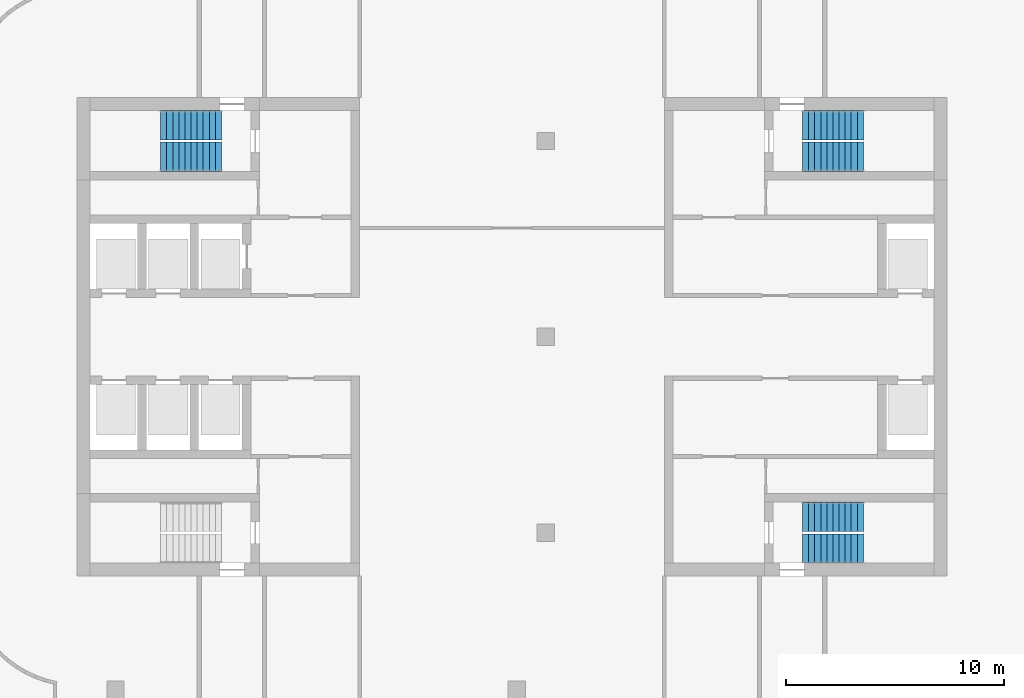
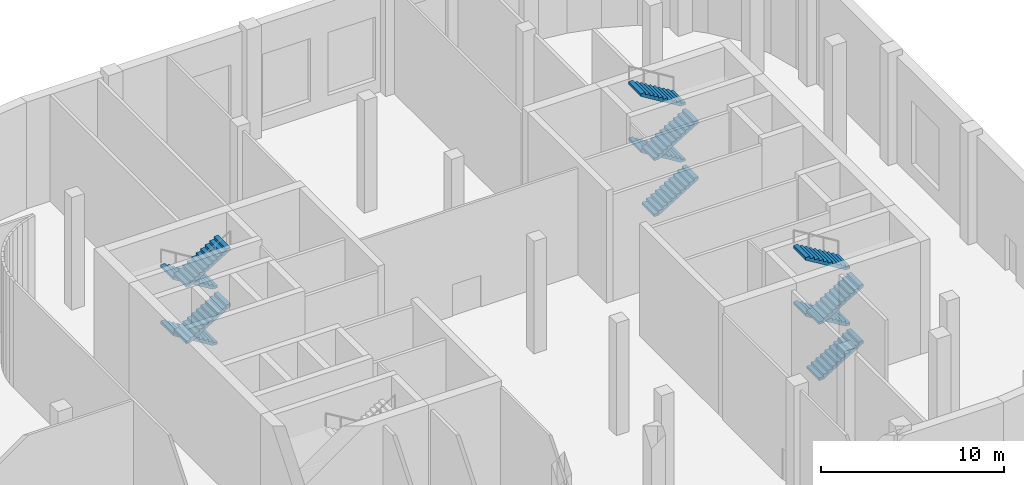
# One storey, part 26 of 30: 12 stair flights, 3 elements without a shape of their own.
"""IFC4 building model written with IfcOpenShell, lengths in metres."""

from ifc_helpers import new_model, si_unit, direction, frame, origin, place, context, subcontext, project, spatial, polyline, outline, extrude, material, type_object, element, aggregate, save


model = new_model("IFC4")

# Units and contexts
model_context = context("Model", 3, precision=1e-05, world=origin(), true_north=direction((0.0, 1.0)))
body_context = subcontext(model_context, "Body", "Model", "MODEL_VIEW")
ifc_project = project(units=[si_unit("LENGTHUNIT", "METRE"), si_unit("AREAUNIT", "SQUARE_METRE"), si_unit("VOLUMEUNIT", "CUBIC_METRE"), si_unit("PLANEANGLEUNIT", "RADIAN"), si_unit("MASSUNIT", "GRAM", prefix="KILO")], contexts=[model_context])

# Site, building, storey
site_placement = place(None, origin())
site = spatial("IfcSite", under=ifc_project, at=site_placement, CompositionType="ELEMENT")
building_placement = place(site_placement, origin())
building = spatial("IfcBuilding", under=site, at=building_placement, Name="Skarvind Civic Tower", CompositionType="ELEMENT")
storey_placement = place(building_placement, origin())
storey = spatial("IfcBuildingStorey", under=building, at=storey_placement, Name="L00", CompositionType="ELEMENT", Elevation=0.0)

# Stair, stair flights
ifc_material = material(Name="Concrete C40/50", Category="concrete")
stair_type = type_object("IfcStairType", Name="Exit stair, half-turn, concrete", PredefinedType="HALF_TURN_STAIR", material=ifc_material)
stair_1_placement = place(storey_placement, origin())
stair_1 = element("IfcStair", 1, at=stair_1_placement, inside=storey, type_object=stair_type, Name="Exit stair CAN", PredefinedType="HALF_TURN_STAIR")
stair_flight_type = type_object("IfcStairFlightType", Name="Stair flight, concrete", PredefinedType="STRAIGHT", material=ifc_material)
stair_flight_1_placement = place(storey_placement, frame((133.64990234375, 137.72509765625, 0.0), z_axis=(0.0, 0.0, 1.0), x_axis=(-1.0, 0.0, 0.0)))
stair_flight_1 = element("IfcStairFlight", 2, at=stair_flight_1_placement, type_object=stair_flight_type, Name="ST-CAN flight 1", NumberOfRisers=11, NumberOfTreads=10, PredefinedType="STRAIGHT", RiserHeight=0.170454545, TreadLength=0.28, context=body_context, shape_type="SweptSolid", body=[
    extrude(outline(polyline([(0.0, 0.0), (0.0, 0.17041015625), (0.280029296875, 0.17041015625), (0.280029296875, 0.3408203125), (0.56005859375, 0.3408203125), (0.56005859375, 0.511474609375), (0.840087890625, 0.511474609375), (0.840087890625, 0.681884765625), (1.1201171875, 0.681884765625), (1.1201171875, 0.852294921875), (1.39990234375, 0.852294921875), (1.39990234375, 1.022705078125), (1.679931640625, 1.022705078125), (1.679931640625, 1.193115234375), (1.9599609375, 1.193115234375), (1.9599609375, 1.363525390625), (2.239990234375, 1.363525390625), (2.239990234375, 1.5341796875), (2.52001953125, 1.5341796875), (2.52001953125, 1.70458984375), (2.800048828125, 1.70458984375), (2.800048828125, 1.875), (2.800048828125, 1.529052734375), (0.288330078125, 0.0), (0.0, 0.0)])), frame((0.0, 0.675048828125, 0.0), z_axis=(0.0, -1.0, 0.0), x_axis=(1.0, 0.0, 0.0)), (0.0, 0.0, 1.0), 1.35009765625),
])
stair_flight_2_placement = place(storey_placement, frame((130.85009765625, 136.27490234375, 1.875), z_axis=(0.0, 0.0, 1.0), x_axis=(1.0, 0.0, 0.0)))
stair_flight_2 = element("IfcStairFlight", 3, at=stair_flight_2_placement, type_object=stair_flight_type, Name="ST-CAN flight 2", NumberOfRisers=11, NumberOfTreads=10, PredefinedType="STRAIGHT", RiserHeight=0.170454545, TreadLength=0.28, context=body_context, shape_type="SweptSolid", body=[
    extrude(outline(polyline([(0.0, 0.0), (0.0, 0.17041015625), (0.280029296875, 0.17041015625), (0.280029296875, 0.3408203125), (0.56005859375, 0.3408203125), (0.56005859375, 0.511474609375), (0.840087890625, 0.511474609375), (0.840087890625, 0.681884765625), (1.1201171875, 0.681884765625), (1.1201171875, 0.852294921875), (1.39990234375, 0.852294921875), (1.39990234375, 1.022705078125), (1.679931640625, 1.022705078125), (1.679931640625, 1.193115234375), (1.9599609375, 1.193115234375), (1.9599609375, 1.363525390625), (2.239990234375, 1.363525390625), (2.239990234375, 1.5341796875), (2.52001953125, 1.5341796875), (2.52001953125, 1.70458984375), (2.800048828125, 1.70458984375), (2.800048828125, 1.875), (2.800048828125, 1.529052734375), (0.288330078125, 0.0), (0.0, 0.0)])), frame((0.0, 0.675048828125, 0.0), z_axis=(0.0, -1.0, 0.0), x_axis=(1.0, 0.0, 0.0)), (0.0, 0.0, 1.0), 1.35009765625),
])
stair_flight_3_placement = place(storey_placement, frame((133.64990234375, 137.72509765625, 3.75), z_axis=(0.0, 0.0, 1.0), x_axis=(-1.0, 0.0, 0.0)))
stair_flight_3 = element("IfcStairFlight", 4, at=stair_flight_3_placement, type_object=stair_flight_type, Name="ST-CAN flight 3", NumberOfRisers=11, NumberOfTreads=10, PredefinedType="STRAIGHT", RiserHeight=0.170454545, TreadLength=0.28, context=body_context, shape_type="SweptSolid", body=[
    extrude(outline(polyline([(0.0, 0.0), (0.0, 0.17041015625), (0.280029296875, 0.17041015625), (0.280029296875, 0.3408203125), (0.56005859375, 0.3408203125), (0.56005859375, 0.511474609375), (0.840087890625, 0.511474609375), (0.840087890625, 0.681884765625), (1.1201171875, 0.681884765625), (1.1201171875, 0.852294921875), (1.39990234375, 0.852294921875), (1.39990234375, 1.022705078125), (1.679931640625, 1.022705078125), (1.679931640625, 1.193115234375), (1.9599609375, 1.193115234375), (1.9599609375, 1.363525390625), (2.239990234375, 1.363525390625), (2.239990234375, 1.5341796875), (2.52001953125, 1.5341796875), (2.52001953125, 1.70458984375), (2.800048828125, 1.70458984375), (2.800048828125, 1.875), (2.800048828125, 1.529052734375), (0.288330078125, 0.0), (0.0, 0.0)])), frame((0.0, 0.675048828125, 0.0), z_axis=(0.0, -1.0, 0.0), x_axis=(1.0, 0.0, 0.0)), (0.0, 0.0, 1.0), 1.35009765625),
])
stair_flight_4_placement = place(storey_placement, frame((130.85009765625, 136.27490234375, 5.625), z_axis=(0.0, 0.0, 1.0), x_axis=(1.0, 0.0, 0.0)))
stair_flight_4 = element("IfcStairFlight", 5, at=stair_flight_4_placement, type_object=stair_flight_type, Name="ST-CAN flight 4", NumberOfRisers=11, NumberOfTreads=10, PredefinedType="STRAIGHT", RiserHeight=0.170454545, TreadLength=0.28, context=body_context, shape_type="SweptSolid", body=[
    extrude(outline(polyline([(0.0, 0.0), (0.0, 0.17041015625), (0.280029296875, 0.17041015625), (0.280029296875, 0.3408203125), (0.56005859375, 0.3408203125), (0.56005859375, 0.511474609375), (0.840087890625, 0.511474609375), (0.840087890625, 0.681884765625), (1.1201171875, 0.681884765625), (1.1201171875, 0.852294921875), (1.39990234375, 0.852294921875), (1.39990234375, 1.022705078125), (1.679931640625, 1.022705078125), (1.679931640625, 1.193115234375), (1.9599609375, 1.193115234375), (1.9599609375, 1.363525390625), (2.239990234375, 1.363525390625), (2.239990234375, 1.5341796875), (2.52001953125, 1.5341796875), (2.52001953125, 1.70458984375), (2.800048828125, 1.70458984375), (2.800048828125, 1.875), (2.800048828125, 1.529052734375), (0.288330078125, 0.0), (0.0, 0.0)])), frame((0.0, 0.675048828125, 0.0), z_axis=(0.0, -1.0, 0.0), x_axis=(1.0, 0.0, 0.0)), (0.0, 0.0, 1.0), 1.35009765625),
])
aggregate(stair_1, [stair_flight_1, stair_flight_2, stair_flight_3, stair_flight_4])

stair_2_placement = place(storey_placement, origin())
stair_2 = element("IfcStair", 6, at=stair_2_placement, inside=storey, type_object=stair_type, Name="Exit stair CBS", PredefinedType="HALF_TURN_STAIR")
stair_flight_5_placement = place(storey_placement, frame((160.35009765625, 136.27490234375, 0.0), z_axis=(0.0, 0.0, 1.0), x_axis=(1.0, 0.0, 0.0)))
stair_flight_5 = element("IfcStairFlight", 7, at=stair_flight_5_placement, type_object=stair_flight_type, Name="ST-CBS flight 1", NumberOfRisers=11, NumberOfTreads=10, PredefinedType="STRAIGHT", RiserHeight=0.170454545, TreadLength=0.28, context=body_context, shape_type="SweptSolid", body=[
    extrude(outline(polyline([(0.0, 0.0), (0.0, 0.17041015625), (0.280029296875, 0.17041015625), (0.280029296875, 0.3408203125), (0.56005859375, 0.3408203125), (0.56005859375, 0.511474609375), (0.840087890625, 0.511474609375), (0.840087890625, 0.681884765625), (1.1201171875, 0.681884765625), (1.1201171875, 0.852294921875), (1.39990234375, 0.852294921875), (1.39990234375, 1.022705078125), (1.679931640625, 1.022705078125), (1.679931640625, 1.193115234375), (1.9599609375, 1.193115234375), (1.9599609375, 1.363525390625), (2.239990234375, 1.363525390625), (2.239990234375, 1.5341796875), (2.52001953125, 1.5341796875), (2.52001953125, 1.70458984375), (2.800048828125, 1.70458984375), (2.800048828125, 1.875), (2.800048828125, 1.529052734375), (0.288330078125, 0.0), (0.0, 0.0)])), frame((0.0, 0.675048828125, 0.0), z_axis=(0.0, -1.0, 0.0), x_axis=(1.0, 0.0, 0.0)), (0.0, 0.0, 1.0), 1.35009765625),
])
stair_flight_6_placement = place(storey_placement, frame((163.14990234375, 137.72509765625, 1.875), z_axis=(0.0, 0.0, 1.0), x_axis=(-1.0, 0.0, 0.0)))
stair_flight_6 = element("IfcStairFlight", 8, at=stair_flight_6_placement, type_object=stair_flight_type, Name="ST-CBS flight 2", NumberOfRisers=11, NumberOfTreads=10, PredefinedType="STRAIGHT", RiserHeight=0.170454545, TreadLength=0.28, context=body_context, shape_type="SweptSolid", body=[
    extrude(outline(polyline([(0.0, 0.0), (0.0, 0.17041015625), (0.280029296875, 0.17041015625), (0.280029296875, 0.3408203125), (0.56005859375, 0.3408203125), (0.56005859375, 0.511474609375), (0.840087890625, 0.511474609375), (0.840087890625, 0.681884765625), (1.1201171875, 0.681884765625), (1.1201171875, 0.852294921875), (1.39990234375, 0.852294921875), (1.39990234375, 1.022705078125), (1.679931640625, 1.022705078125), (1.679931640625, 1.193115234375), (1.9599609375, 1.193115234375), (1.9599609375, 1.363525390625), (2.239990234375, 1.363525390625), (2.239990234375, 1.5341796875), (2.52001953125, 1.5341796875), (2.52001953125, 1.70458984375), (2.800048828125, 1.70458984375), (2.800048828125, 1.875), (2.800048828125, 1.529052734375), (0.288330078125, 0.0), (0.0, 0.0)])), frame((0.0, 0.675048828125, 0.0), z_axis=(0.0, -1.0, 0.0), x_axis=(1.0, 0.0, 0.0)), (0.0, 0.0, 1.0), 1.35009765625),
])
stair_flight_7_placement = place(storey_placement, frame((160.35009765625, 136.27490234375, 3.75), z_axis=(0.0, 0.0, 1.0), x_axis=(1.0, 0.0, 0.0)))
stair_flight_7 = element("IfcStairFlight", 9, at=stair_flight_7_placement, type_object=stair_flight_type, Name="ST-CBS flight 3", NumberOfRisers=11, NumberOfTreads=10, PredefinedType="STRAIGHT", RiserHeight=0.170454545, TreadLength=0.28, context=body_context, shape_type="SweptSolid", body=[
    extrude(outline(polyline([(0.0, 0.0), (0.0, 0.17041015625), (0.280029296875, 0.17041015625), (0.280029296875, 0.3408203125), (0.56005859375, 0.3408203125), (0.56005859375, 0.511474609375), (0.840087890625, 0.511474609375), (0.840087890625, 0.681884765625), (1.1201171875, 0.681884765625), (1.1201171875, 0.852294921875), (1.39990234375, 0.852294921875), (1.39990234375, 1.022705078125), (1.679931640625, 1.022705078125), (1.679931640625, 1.193115234375), (1.9599609375, 1.193115234375), (1.9599609375, 1.363525390625), (2.239990234375, 1.363525390625), (2.239990234375, 1.5341796875), (2.52001953125, 1.5341796875), (2.52001953125, 1.70458984375), (2.800048828125, 1.70458984375), (2.800048828125, 1.875), (2.800048828125, 1.529052734375), (0.288330078125, 0.0), (0.0, 0.0)])), frame((0.0, 0.675048828125, 0.0), z_axis=(0.0, -1.0, 0.0), x_axis=(1.0, 0.0, 0.0)), (0.0, 0.0, 1.0), 1.35009765625),
])
stair_flight_8_placement = place(storey_placement, frame((163.14990234375, 137.72509765625, 5.625), z_axis=(0.0, 0.0, 1.0), x_axis=(-1.0, 0.0, 0.0)))
stair_flight_8 = element("IfcStairFlight", 10, at=stair_flight_8_placement, type_object=stair_flight_type, Name="ST-CBS flight 4", NumberOfRisers=11, NumberOfTreads=10, PredefinedType="STRAIGHT", RiserHeight=0.170454545, TreadLength=0.28, context=body_context, shape_type="SweptSolid", body=[
    extrude(outline(polyline([(0.0, 0.0), (0.0, 0.17041015625), (0.280029296875, 0.17041015625), (0.280029296875, 0.3408203125), (0.56005859375, 0.3408203125), (0.56005859375, 0.511474609375), (0.840087890625, 0.511474609375), (0.840087890625, 0.681884765625), (1.1201171875, 0.681884765625), (1.1201171875, 0.852294921875), (1.39990234375, 0.852294921875), (1.39990234375, 1.022705078125), (1.679931640625, 1.022705078125), (1.679931640625, 1.193115234375), (1.9599609375, 1.193115234375), (1.9599609375, 1.363525390625), (2.239990234375, 1.363525390625), (2.239990234375, 1.5341796875), (2.52001953125, 1.5341796875), (2.52001953125, 1.70458984375), (2.800048828125, 1.70458984375), (2.800048828125, 1.875), (2.800048828125, 1.529052734375), (0.288330078125, 0.0), (0.0, 0.0)])), frame((0.0, 0.675048828125, 0.0), z_axis=(0.0, -1.0, 0.0), x_axis=(1.0, 0.0, 0.0)), (0.0, 0.0, 1.0), 1.35009765625),
])
aggregate(stair_2, [stair_flight_5, stair_flight_6, stair_flight_7, stair_flight_8])

stair_3_placement = place(storey_placement, origin())
stair_3 = element("IfcStair", 11, at=stair_3_placement, inside=storey, type_object=stair_type, Name="Exit stair CBN", PredefinedType="HALF_TURN_STAIR")
stair_flight_9_placement = place(storey_placement, frame((160.35009765625, 118.27490234375, 0.0), z_axis=(0.0, 0.0, 1.0), x_axis=(1.0, 0.0, 0.0)))
stair_flight_9 = element("IfcStairFlight", 12, at=stair_flight_9_placement, type_object=stair_flight_type, Name="ST-CBN flight 1", NumberOfRisers=11, NumberOfTreads=10, PredefinedType="STRAIGHT", RiserHeight=0.170454545, TreadLength=0.28, context=body_context, shape_type="SweptSolid", body=[
    extrude(outline(polyline([(0.0, 0.0), (0.0, 0.17041015625), (0.280029296875, 0.17041015625), (0.280029296875, 0.3408203125), (0.56005859375, 0.3408203125), (0.56005859375, 0.511474609375), (0.840087890625, 0.511474609375), (0.840087890625, 0.681884765625), (1.1201171875, 0.681884765625), (1.1201171875, 0.852294921875), (1.39990234375, 0.852294921875), (1.39990234375, 1.022705078125), (1.679931640625, 1.022705078125), (1.679931640625, 1.193115234375), (1.9599609375, 1.193115234375), (1.9599609375, 1.363525390625), (2.239990234375, 1.363525390625), (2.239990234375, 1.5341796875), (2.52001953125, 1.5341796875), (2.52001953125, 1.70458984375), (2.800048828125, 1.70458984375), (2.800048828125, 1.875), (2.800048828125, 1.529052734375), (0.288330078125, 0.0), (0.0, 0.0)])), frame((0.0, 0.675048828125, 0.0), z_axis=(0.0, -1.0, 0.0), x_axis=(1.0, 0.0, 0.0)), (0.0, 0.0, 1.0), 1.35009765625),
])
stair_flight_10_placement = place(storey_placement, frame((163.14990234375, 119.72509765625, 1.875), z_axis=(0.0, 0.0, 1.0), x_axis=(-1.0, 0.0, 0.0)))
stair_flight_10 = element("IfcStairFlight", 13, at=stair_flight_10_placement, type_object=stair_flight_type, Name="ST-CBN flight 2", NumberOfRisers=11, NumberOfTreads=10, PredefinedType="STRAIGHT", RiserHeight=0.170454545, TreadLength=0.28, context=body_context, shape_type="SweptSolid", body=[
    extrude(outline(polyline([(0.0, 0.0), (0.0, 0.17041015625), (0.280029296875, 0.17041015625), (0.280029296875, 0.3408203125), (0.56005859375, 0.3408203125), (0.56005859375, 0.511474609375), (0.840087890625, 0.511474609375), (0.840087890625, 0.681884765625), (1.1201171875, 0.681884765625), (1.1201171875, 0.852294921875), (1.39990234375, 0.852294921875), (1.39990234375, 1.022705078125), (1.679931640625, 1.022705078125), (1.679931640625, 1.193115234375), (1.9599609375, 1.193115234375), (1.9599609375, 1.363525390625), (2.239990234375, 1.363525390625), (2.239990234375, 1.5341796875), (2.52001953125, 1.5341796875), (2.52001953125, 1.70458984375), (2.800048828125, 1.70458984375), (2.800048828125, 1.875), (2.800048828125, 1.529052734375), (0.288330078125, 0.0), (0.0, 0.0)])), frame((0.0, 0.675048828125, 0.0), z_axis=(0.0, -1.0, 0.0), x_axis=(1.0, 0.0, 0.0)), (0.0, 0.0, 1.0), 1.35009765625),
])
stair_flight_11_placement = place(storey_placement, frame((160.35009765625, 118.27490234375, 3.75), z_axis=(0.0, 0.0, 1.0), x_axis=(1.0, 0.0, 0.0)))
stair_flight_11 = element("IfcStairFlight", 14, at=stair_flight_11_placement, type_object=stair_flight_type, Name="ST-CBN flight 3", NumberOfRisers=11, NumberOfTreads=10, PredefinedType="STRAIGHT", RiserHeight=0.170454545, TreadLength=0.28, context=body_context, shape_type="SweptSolid", body=[
    extrude(outline(polyline([(0.0, 0.0), (0.0, 0.17041015625), (0.280029296875, 0.17041015625), (0.280029296875, 0.3408203125), (0.56005859375, 0.3408203125), (0.56005859375, 0.511474609375), (0.840087890625, 0.511474609375), (0.840087890625, 0.681884765625), (1.1201171875, 0.681884765625), (1.1201171875, 0.852294921875), (1.39990234375, 0.852294921875), (1.39990234375, 1.022705078125), (1.679931640625, 1.022705078125), (1.679931640625, 1.193115234375), (1.9599609375, 1.193115234375), (1.9599609375, 1.363525390625), (2.239990234375, 1.363525390625), (2.239990234375, 1.5341796875), (2.52001953125, 1.5341796875), (2.52001953125, 1.70458984375), (2.800048828125, 1.70458984375), (2.800048828125, 1.875), (2.800048828125, 1.529052734375), (0.288330078125, 0.0), (0.0, 0.0)])), frame((0.0, 0.675048828125, 0.0), z_axis=(0.0, -1.0, 0.0), x_axis=(1.0, 0.0, 0.0)), (0.0, 0.0, 1.0), 1.35009765625),
])
stair_flight_12_placement = place(storey_placement, frame((163.14990234375, 119.72509765625, 5.625), z_axis=(0.0, 0.0, 1.0), x_axis=(-1.0, 0.0, 0.0)))
stair_flight_12 = element("IfcStairFlight", 15, at=stair_flight_12_placement, type_object=stair_flight_type, Name="ST-CBN flight 4", NumberOfRisers=11, NumberOfTreads=10, PredefinedType="STRAIGHT", RiserHeight=0.170454545, TreadLength=0.28, context=body_context, shape_type="SweptSolid", body=[
    extrude(outline(polyline([(0.0, 0.0), (0.0, 0.17041015625), (0.280029296875, 0.17041015625), (0.280029296875, 0.3408203125), (0.56005859375, 0.3408203125), (0.56005859375, 0.511474609375), (0.840087890625, 0.511474609375), (0.840087890625, 0.681884765625), (1.1201171875, 0.681884765625), (1.1201171875, 0.852294921875), (1.39990234375, 0.852294921875), (1.39990234375, 1.022705078125), (1.679931640625, 1.022705078125), (1.679931640625, 1.193115234375), (1.9599609375, 1.193115234375), (1.9599609375, 1.363525390625), (2.239990234375, 1.363525390625), (2.239990234375, 1.5341796875), (2.52001953125, 1.5341796875), (2.52001953125, 1.70458984375), (2.800048828125, 1.70458984375), (2.800048828125, 1.875), (2.800048828125, 1.529052734375), (0.288330078125, 0.0), (0.0, 0.0)])), frame((0.0, 0.675048828125, 0.0), z_axis=(0.0, -1.0, 0.0), x_axis=(1.0, 0.0, 0.0)), (0.0, 0.0, 1.0), 1.35009765625),
])
aggregate(stair_3, [stair_flight_9, stair_flight_10, stair_flight_11, stair_flight_12])

save(model, "model.ifc")
